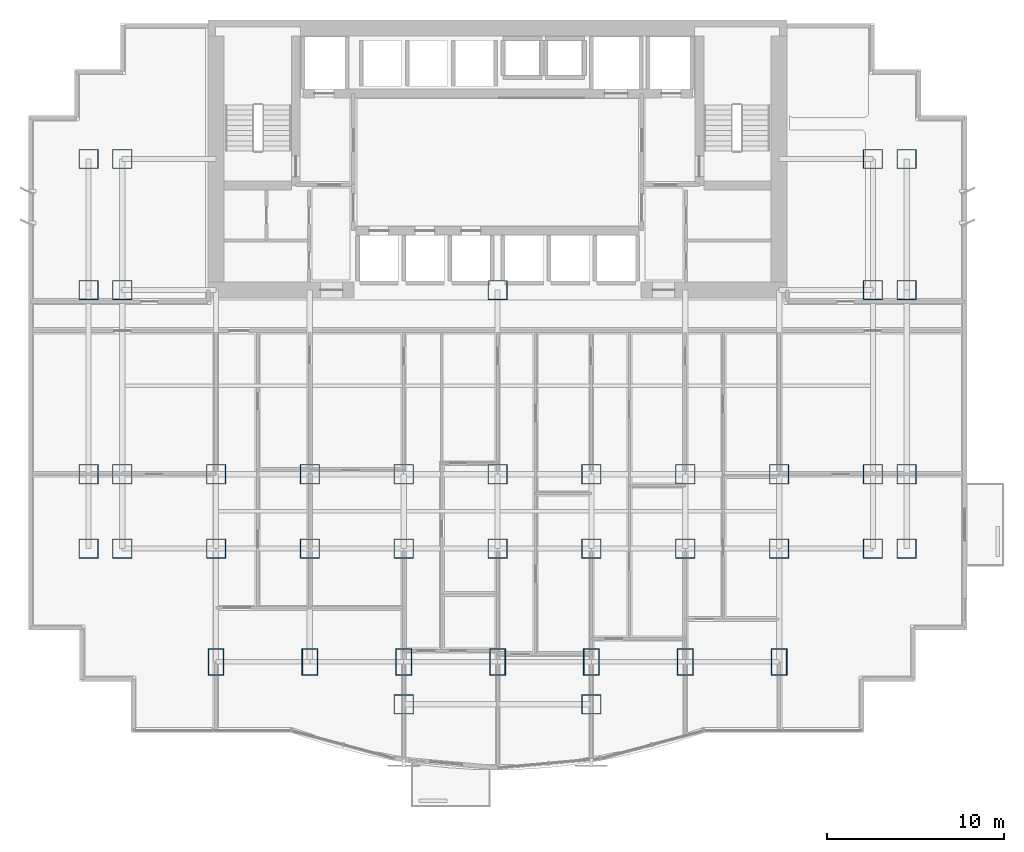
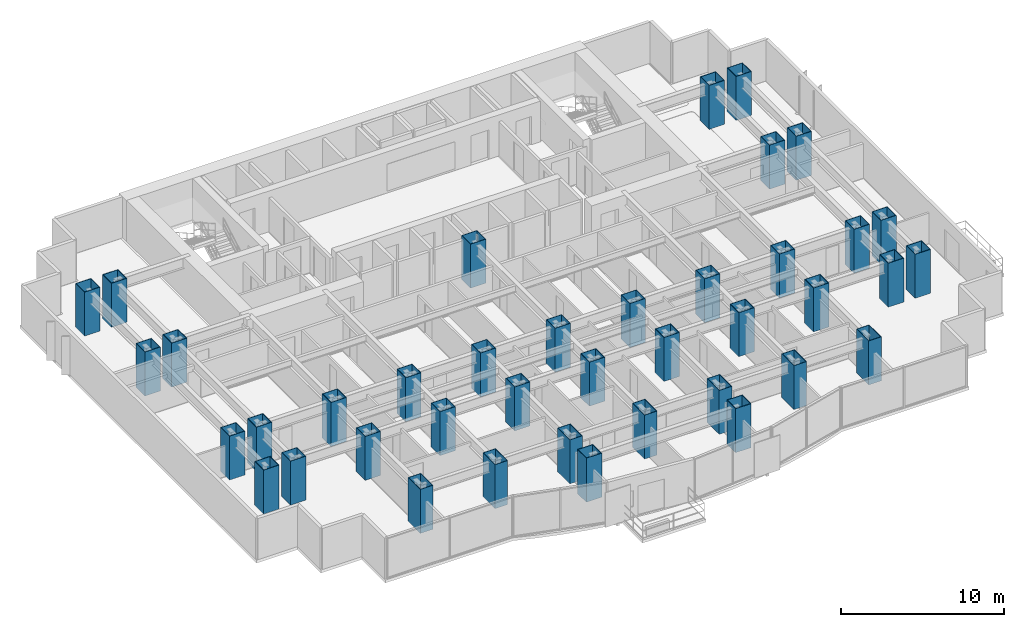
# One storey, part 1 of 10: 40 columns.
"""IFC4 building model written with IfcOpenShell, lengths in metres."""

from ifc_helpers import new_model, si_unit, direction, frame, origin, origin_2d, place, context, subcontext, project, spatial, hollow_rectangle, extrude, material, material_profile, profile_set, type_object, element, save


model = new_model("IFC4")

# Units and contexts
model_context = context("Model", 3, precision=1e-05, world=origin(), true_north=direction((0.0, 1.0)))
body_context = subcontext(model_context, "Body", "Model", "MODEL_VIEW")
ifc_project = project(units=[si_unit("LENGTHUNIT", "METRE"), si_unit("AREAUNIT", "SQUARE_METRE"), si_unit("VOLUMEUNIT", "CUBIC_METRE"), si_unit("PLANEANGLEUNIT", "RADIAN"), si_unit("MASSUNIT", "GRAM", prefix="KILO")], contexts=[model_context])

# Site, building, storey
site_placement = place(None, origin())
site = spatial("IfcSite", under=ifc_project, at=site_placement, CompositionType="ELEMENT")
building_placement = place(site_placement, origin())
building = spatial("IfcBuilding", under=site, at=building_placement, Name="Qianlan Lanfeng Residences", CompositionType="ELEMENT")
storey_placement = place(building_placement, frame((0.0, 0.0, 53.89990234375)))
storey = spatial("IfcBuildingStorey", under=building, at=storey_placement, Name="L14", CompositionType="ELEMENT", Elevation=53.89990234375)

# Columns
ifc_material = material(Name="Steel SN490B", Category="steel")
ifc_material_profile_1 = material_profile(ifc_material, hollow_rectangle(XDim=1.10009765625, YDim=1.10009765625, WallThickness=0.035888671875, at=origin_2d()), Name="BOX 1100x1100x36")
ifc_profile_set_1 = profile_set([ifc_material_profile_1], Name="Steel SN490B")
column_type_1 = type_object("IfcColumnType", Name="C-B1300", PredefinedType="COLUMN", material=ifc_profile_set_1)
for number, where, z_axis, x_axis, name in (
    (1, (26.5, 25.199951171875, 0.0), (0.0, 0.0, 1.0), (1.0, 0.0, 0.0), "L14 Structural Column CP_26.5_25.2"),
    (2, (10.60009765625, 14.800048828125, 0.0), (0.0, 0.0, 1.0), (1.0, 0.0, 0.0), "L14 Structural Column M_10.60_14.80"),
    (3, (10.60009765625, 10.60009765625, 0.0), (0.0, 0.0, 1.0), (1.0, 0.0, 0.0), "L14 Structural Column G_10.60_10.60"),
    (4, (15.89990234375, 14.800048828125, 0.0), (0.0, 0.0, 1.0), (1.0, 0.0, 0.0), "L14 Structural Column M_15.90_14.80"),
    (5, (15.89990234375, 10.60009765625, 0.0), (0.0, 0.0, 1.0), (1.0, 0.0, 0.0), "L14 Structural Column G_15.90_10.60"),
    (6, (21.199951171875, 14.800048828125, 0.0), (0.0, 0.0, 1.0), (1.0, 0.0, 0.0), "L14 Structural Column M_21.20_14.80"),
    (7, (21.199951171875, 10.60009765625, 0.0), (0.0, 0.0, 1.0), (1.0, 0.0, 0.0), "L14 Structural Column G_21.20_10.60"),
    (8, (26.5, 14.800048828125, 0.0), (0.0, 0.0, 1.0), (1.0, 0.0, 0.0), "L14 Structural Column M_26.50_14.80"),
    (9, (26.5, 10.60009765625, 0.0), (0.0, 0.0, 1.0), (1.0, 0.0, 0.0), "L14 Structural Column G_26.50_10.60"),
    (10, (31.800048828125, 14.800048828125, 0.0), (0.0, 0.0, 1.0), (1.0, 0.0, 0.0), "L14 Structural Column M_31.80_14.80"),
    (11, (31.800048828125, 10.60009765625, 0.0), (0.0, 0.0, 1.0), (1.0, 0.0, 0.0), "L14 Structural Column G_31.80_10.60"),
    (12, (37.10009765625, 14.800048828125, 0.0), (0.0, 0.0, 1.0), (1.0, 0.0, 0.0), "L14 Structural Column M_37.10_14.80"),
    (13, (37.10009765625, 10.60009765625, 0.0), (0.0, 0.0, 1.0), (1.0, 0.0, 0.0), "L14 Structural Column G_37.10_10.60"),
    (14, (42.39990234375, 14.800048828125, 0.0), (0.0, 0.0, 1.0), (1.0, 0.0, 0.0), "L14 Structural Column M_42.40_14.80"),
    (15, (42.39990234375, 10.60009765625, 0.0), (0.0, 0.0, 1.0), (1.0, 0.0, 0.0), "L14 Structural Column G_42.40_10.60"),
    (16, (21.199951171875, 1.800048828125, 0.0), (0.0, 0.0, 1.0), (1.0, 0.0, 0.0), "L14 Structural Column P_21.20_1.80"),
    (17, (31.800048828125, 1.800048828125, 0.0), (0.0, 0.0, 1.0), (1.0, 0.0, 0.0), "L14 Structural Column P_31.80_1.80"),
    (18, (3.39990234375, 10.60009765625, 0.0), (0.0, 0.0, 1.0), (1.0, 0.0, 0.0), "L14 Structural Column W_3.40_10.60"),
    (19, (3.39990234375, 14.800048828125, 0.0), (0.0, 0.0, 1.0), (1.0, 0.0, 0.0), "L14 Structural Column W_3.40_14.80"),
    (20, (3.39990234375, 25.199951171875, 0.0), (0.0, 0.0, 1.0), (1.0, 0.0, 0.0), "L14 Structural Column W_3.40_25.20"),
    (21, (3.39990234375, 32.60009765625, 0.0), (0.0, 0.0, 1.0), (1.0, 0.0, 0.0), "L14 Structural Column W_3.40_32.60"),
    (22, (5.300048828125, 10.60009765625, 0.0), (0.0, 0.0, 1.0), (1.0, 0.0, 0.0), "L14 Structural Column W_5.30_10.60"),
    (23, (5.300048828125, 14.800048828125, 0.0), (0.0, 0.0, 1.0), (1.0, 0.0, 0.0), "L14 Structural Column W_5.30_14.80"),
    (24, (5.300048828125, 25.199951171875, 0.0), (0.0, 0.0, 1.0), (1.0, 0.0, 0.0), "L14 Structural Column W_5.30_25.20"),
    (25, (5.300048828125, 32.60009765625, 0.0), (0.0, 0.0, 1.0), (1.0, 0.0, 0.0), "L14 Structural Column W_5.30_32.60"),
    (26, (47.699951171875, 10.60009765625, 0.0), (0.0, 0.0, 1.0), (1.0, 0.0, 0.0), "L14 Structural Column W_47.70_10.60"),
    (27, (47.699951171875, 14.800048828125, 0.0), (0.0, 0.0, 1.0), (1.0, 0.0, 0.0), "L14 Structural Column W_47.70_14.80"),
    (28, (47.699951171875, 25.199951171875, 0.0), (0.0, 0.0, 1.0), (1.0, 0.0, 0.0), "L14 Structural Column W_47.70_25.20"),
    (29, (47.699951171875, 32.60009765625, 0.0), (0.0, 0.0, 1.0), (1.0, 0.0, 0.0), "L14 Structural Column W_47.70_32.60"),
    (30, (49.60009765625, 10.60009765625, 0.0), (0.0, 0.0, 1.0), (1.0, 0.0, 0.0), "L14 Structural Column W_49.60_10.60"),
    (31, (49.60009765625, 14.800048828125, 0.0), (0.0, 0.0, 1.0), (1.0, 0.0, 0.0), "L14 Structural Column W_49.60_14.80"),
    (32, (49.60009765625, 25.199951171875, 0.0), (0.0, 0.0, 1.0), (1.0, 0.0, 0.0), "L14 Structural Column W_49.60_25.20"),
    (33, (49.60009765625, 32.60009765625, 0.0), (0.0, 0.0, 1.0), (1.0, 0.0, 0.0), "L14 Structural Column W_49.60_32.60"),
):
    element("IfcColumn", number, at=place(storey_placement, frame(where, z_axis=z_axis, x_axis=x_axis)), inside=storey, type_object=column_type_1, Name=name, PredefinedType="COLUMN", context=body_context, shape_type="SweptSolid", body=[
        extrude(hollow_rectangle(XDim=1.10009765625, YDim=1.10009765625, WallThickness=0.035888671875, at=origin_2d()), origin(), (0.0, 0.0, 1.0), 3.300048828125),
    ])
ifc_material_profile_2 = material_profile(ifc_material, hollow_rectangle(XDim=0.89990234375, YDim=1.5, WallThickness=0.035888671875, at=origin_2d()), Name="BOX 1500x900x36")
ifc_profile_set_2 = profile_set([ifc_material_profile_2], Name="Steel SN490B")
column_type_2 = type_object("IfcColumnType", Name="CE-B1250", PredefinedType="COLUMN", material=ifc_profile_set_2)
for number, where, z_axis, x_axis, name in (
    (34, (10.60009765625, 4.199951171875, 0.0), (0.0, 0.0, 1.0), (1.0, 0.0, 0.0), "L14 Structural Column S_10.60_4.20"),
    (35, (15.89990234375, 4.199951171875, 0.0), (0.0, 0.0, 1.0), (1.0, 0.0, 0.0), "L14 Structural Column S_15.90_4.20"),
    (36, (21.199951171875, 4.199951171875, 0.0), (0.0, 0.0, 1.0), (1.0, 0.0, 0.0), "L14 Structural Column S_21.20_4.20"),
    (37, (26.5, 4.199951171875, 0.0), (0.0, 0.0, 1.0), (1.0, 0.0, 0.0), "L14 Structural Column S_26.50_4.20"),
    (38, (31.800048828125, 4.199951171875, 0.0), (0.0, 0.0, 1.0), (1.0, 0.0, 0.0), "L14 Structural Column S_31.80_4.20"),
    (39, (37.10009765625, 4.199951171875, 0.0), (0.0, 0.0, 1.0), (1.0, 0.0, 0.0), "L14 Structural Column S_37.10_4.20"),
    (40, (42.39990234375, 4.199951171875, 0.0), (0.0, 0.0, 1.0), (1.0, 0.0, 0.0), "L14 Structural Column S_42.40_4.20"),
):
    element("IfcColumn", number, at=place(storey_placement, frame(where, z_axis=z_axis, x_axis=x_axis)), inside=storey, type_object=column_type_2, Name=name, PredefinedType="COLUMN", context=body_context, shape_type="SweptSolid", body=[
        extrude(hollow_rectangle(XDim=0.89990234375, YDim=1.5, WallThickness=0.035888671875, at=origin_2d()), origin(), (0.0, 0.0, 1.0), 3.300048828125),
    ])

save(model, "model.ifc")
